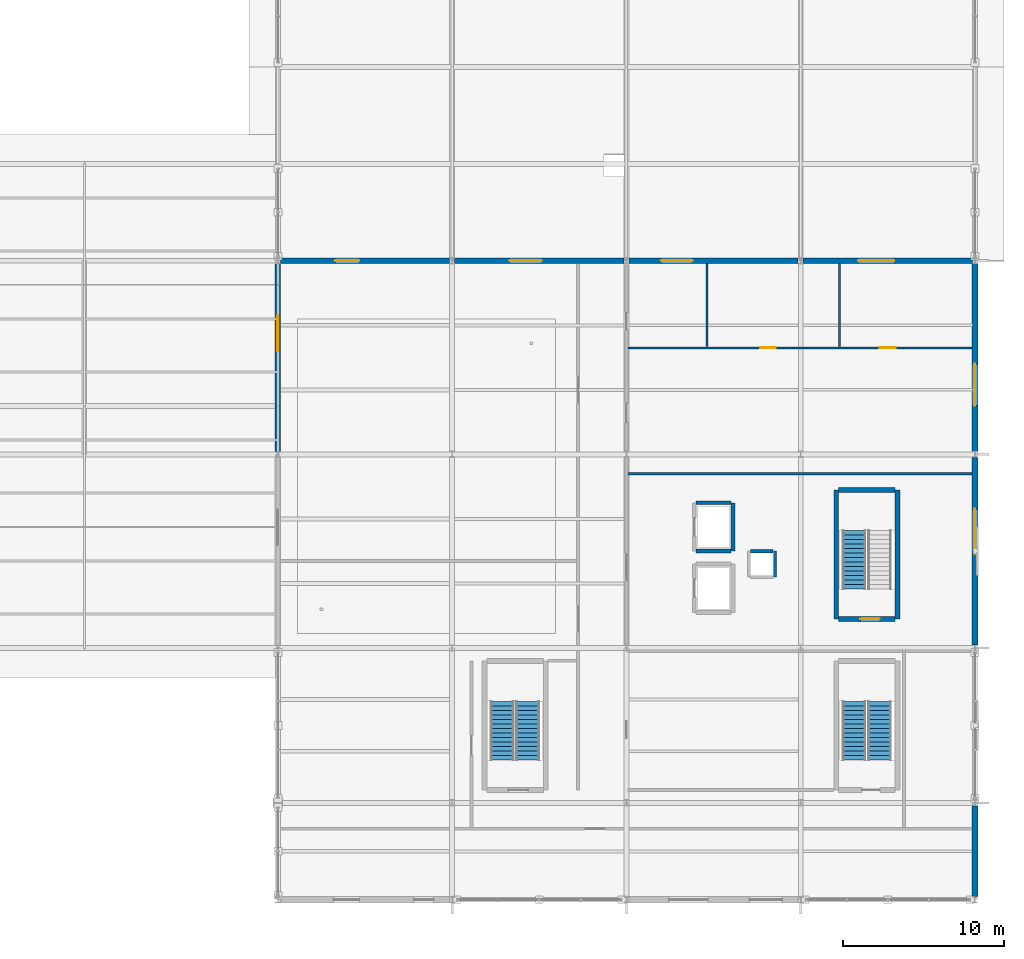
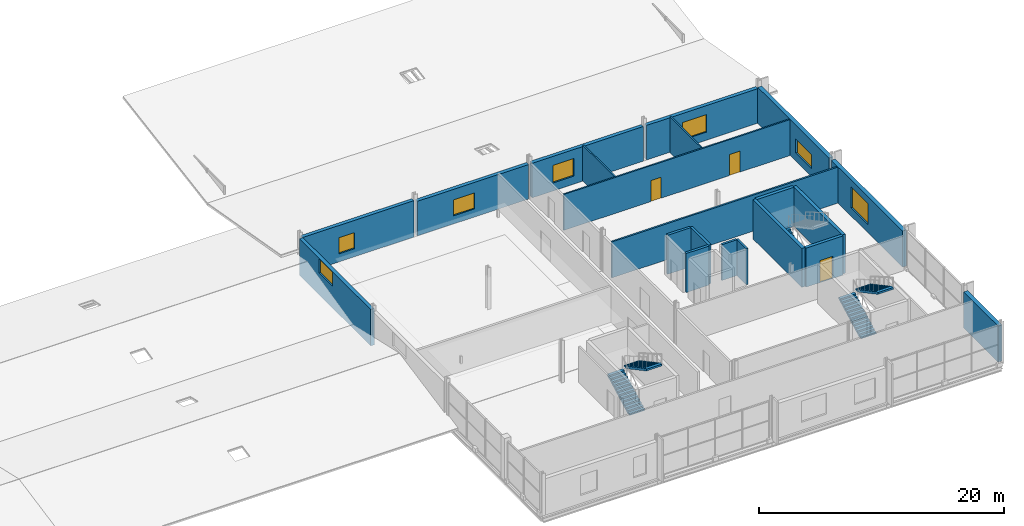
# One storey, part 108 of 117: 21 walls, 7 windows, 5 stair flights, 3 doors, 10 openings, 3 elements without a shape of their own.
"""IFC4 building model written with IfcOpenShell, lengths in metres."""

from ifc_helpers import new_model, si_unit, direction, frame, frame_2d, origin, place, context, subcontext, project, spatial, polyline, rectangle, outline, extrude, material, layer, layer_set, type_object, element, fill, aggregate, save


model = new_model("IFC4")

# Units and contexts
model_context = context("Model", 3, precision=1e-05, world=origin(), true_north=direction((0.0, 1.0)))
body_context = subcontext(model_context, "Body", "Model", "MODEL_VIEW")
ifc_project = project(units=[si_unit("LENGTHUNIT", "METRE"), si_unit("AREAUNIT", "SQUARE_METRE"), si_unit("VOLUMEUNIT", "CUBIC_METRE"), si_unit("PLANEANGLEUNIT", "RADIAN"), si_unit("MASSUNIT", "GRAM", prefix="KILO")], contexts=[model_context])

# Site, building, storey
site_placement = place(None, origin())
site = spatial("IfcSite", under=ifc_project, at=site_placement, CompositionType="ELEMENT")
building_placement = place(site_placement, origin())
building = spatial("IfcBuilding", under=site, at=building_placement, Name="Merenkruunu Market Hall", CompositionType="ELEMENT")
storey_placement = place(building_placement, frame((0.0, 0.0, 10.199951171875)))
storey = spatial("IfcBuildingStorey", under=building, at=storey_placement, Name="L02", CompositionType="ELEMENT", Elevation=10.199951171875)

# Wall
ifc_material_1 = material(Name="Precast concrete C40/50", Category="concrete")
ifc_layer_1 = layer(ifc_material_1, 0.3798828125)
ifc_layer_set_1 = layer_set([ifc_layer_1], Name="Precast concrete C40/50")
wall_type_1 = type_object("IfcWallType", Name="Exterior Envelope Wall EW02", PredefinedType="STANDARD", material=ifc_layer_set_1)
wall_1_placement = place(storey_placement, frame((192.0, 5.81591796875, 0.0), z_axis=(0.0, 0.0, 1.0), x_axis=(0.0, -1.0, 0.0)))
element("IfcWall", 1, at=wall_1_placement, inside=storey, type_object=wall_type_1, Name="WALL-EXT-L02-0086", PredefinedType="STANDARD", context=body_context, shape_type="SweptSolid", body=[
    extrude(rectangle(XDim=5.6318359375, YDim=0.3798828125, at=frame_2d((2.81591796875, 0.0))), origin(), (0.0, 0.0, 1.0), 3.594970703125),
])

# Wall, opening, window
wall_2_placement = place(storey_placement, frame((192.0, 27.416015625, 0.0), z_axis=(0.0, 0.0, 1.0), x_axis=(0.0, -1.0, 0.0)))
wall_2 = element("IfcWall", 2, at=wall_2_placement, inside=storey, type_object=wall_type_1, Name="WALL-EXT-L02-0087", PredefinedType="STANDARD", context=body_context, shape_type="SweptSolid", body=[
    extrude(rectangle(XDim=11.632080078125, YDim=0.3798828125, at=frame_2d((5.81591796875, 0.0))), origin(), (0.0, 0.0, 1.0), 3.594970703125),
])
opening_1_placement = place(wall_2_placement, frame((3.199951171875, 0.0, 0.800048828125)))
opening_1 = element("IfcOpeningElement", 3, at=opening_1_placement, cuts=wall_2, Name="Opening WN12", PredefinedType="OPENING", context=body_context, shape_type="SweptSolid", body=[
    extrude(rectangle(XDim=2.800048828125, YDim=2.10009765625, at=frame_2d((1.39990234375, 1.050048828125))), frame((0.0, 0.199951171875, 0.0), z_axis=(0.0, -1.0, 0.0), x_axis=(1.0, 0.0, 0.0)), (0.0, 0.0, 1.0), 0.39990234375),
])
ifc_material_2 = material(Name="Triple low-E insulated glass", Category="glass")
ifc_layer_2 = layer(ifc_material_2, 0.06005859375)
ifc_layer_set_2 = layer_set([ifc_layer_2], Name="Triple low-E insulated glass")
window_type_1 = type_object("IfcWindowType", Name="Exterior Window WN12", PartitioningType="SINGLE_PANEL", PredefinedType="WINDOW", material=ifc_layer_set_2)
window_1_placement = place(opening_1_placement, origin())
window_1 = element("IfcWindow", 4, at=window_1_placement, inside=storey, type_object=window_type_1, Name="WIN-L02-0042", OverallHeight=2.10009765625, OverallWidth=2.800048828125, PartitioningType="SINGLE_PANEL", PredefinedType="WINDOW", context=body_context, shape_type="SweptSolid", body=[
    extrude(rectangle(XDim=2.800048828125, YDim=2.10009765625, at=frame_2d((1.39990234375, 1.050048828125))), frame((0.0, 0.030029296875, 0.0), z_axis=(0.0, -1.0, 0.0), x_axis=(1.0, 0.0, 0.0)), (0.0, 0.0, 1.0), 0.06005859375),
])
fill(opening_1, window_1)

wall_3_placement = place(storey_placement, frame((192.0, 39.416015625, 0.0), z_axis=(0.0, 0.0, 1.0), x_axis=(0.0, -1.0, 0.0)))
wall_3 = element("IfcWall", 5, at=wall_3_placement, inside=storey, type_object=wall_type_1, Name="WALL-EXT-L02-0088", PredefinedType="STANDARD", context=body_context, shape_type="SweptSolid", body=[
    extrude(rectangle(XDim=11.632080078125, YDim=0.3798828125, at=frame_2d((5.81591796875, 0.0))), origin(), (0.0, 0.0, 1.0), 3.594970703125),
])
opening_2_placement = place(wall_3_placement, frame((6.199951171875, 0.0, 0.800048828125)))
opening_2 = element("IfcOpeningElement", 6, at=opening_2_placement, cuts=wall_3, Name="Opening WN16", PredefinedType="OPENING", context=body_context, shape_type="SweptSolid", body=[
    extrude(rectangle(XDim=2.60009765625, YDim=1.39990234375, at=frame_2d((1.300048828125, 0.699951171875))), frame((0.0, 0.199951171875, 0.0), z_axis=(0.0, -1.0, 0.0), x_axis=(1.0, 0.0, 0.0)), (0.0, 0.0, 1.0), 0.39990234375),
])
ifc_layer_3 = layer(ifc_material_2, 0.06005859375)
ifc_layer_set_3 = layer_set([ifc_layer_3], Name="Triple low-E insulated glass")
window_type_2 = type_object("IfcWindowType", Name="Exterior Window WN16", PartitioningType="SINGLE_PANEL", PredefinedType="WINDOW", material=ifc_layer_set_3)
window_2_placement = place(opening_2_placement, origin())
window_2 = element("IfcWindow", 7, at=window_2_placement, inside=storey, type_object=window_type_2, Name="WIN-L02-0043", OverallHeight=1.39990234375, OverallWidth=2.60009765625, PartitioningType="SINGLE_PANEL", PredefinedType="WINDOW", context=body_context, shape_type="SweptSolid", body=[
    extrude(rectangle(XDim=2.60009765625, YDim=1.39990234375, at=frame_2d((1.300048828125, 0.699951171875))), frame((0.0, 0.030029296875, 0.0), z_axis=(0.0, -1.0, 0.0), x_axis=(1.0, 0.0, 0.0)), (0.0, 0.0, 1.0), 0.06005859375),
])
fill(opening_2, window_2)

ifc_layer_4 = layer(ifc_material_1, 0.340087890625)
ifc_layer_set_4 = layer_set([ifc_layer_4], Name="Precast concrete C40/50")
wall_type_2 = type_object("IfcWallType", Name="Exterior Envelope Wall EW03", PredefinedType="STANDARD", material=ifc_layer_set_4)
wall_4_placement = place(storey_placement, frame((148.9541015625, 39.60009765625, 0.0), z_axis=(0.0, 0.0, 1.0), x_axis=(1.0, 0.0, 0.0)))
wall_4 = element("IfcWall", 8, at=wall_4_placement, inside=storey, type_object=wall_type_2, Name="WALL-EXT-L02-0089", PredefinedType="STANDARD", context=body_context, shape_type="SweptSolid", body=[
    extrude(rectangle(XDim=10.491943359375, YDim=0.340087890625, at=frame_2d((5.24609375, 0.0))), origin(), (0.0, 0.0, 1.0), 3.625),
])
opening_3_placement = place(wall_4_placement, frame((3.39990234375, 0.0, 0.800048828125)))
opening_3 = element("IfcOpeningElement", 9, at=opening_3_placement, cuts=wall_4, Name="Opening WN19", PredefinedType="OPENING", context=body_context, shape_type="SweptSolid", body=[
    extrude(rectangle(XDim=1.5, YDim=1.60009765625, at=frame_2d((0.75, 0.800048828125))), frame((0.0, 0.18017578125, 0.0), z_axis=(0.0, -1.0, 0.0), x_axis=(1.0, 0.0, 0.0)), (0.0, 0.0, 1.0), 0.360107421875),
])
ifc_layer_5 = layer(ifc_material_2, 0.06005859375)
ifc_layer_set_5 = layer_set([ifc_layer_5], Name="Triple low-E insulated glass")
window_type_3 = type_object("IfcWindowType", Name="Exterior Window WN19", PartitioningType="SINGLE_PANEL", PredefinedType="WINDOW", material=ifc_layer_set_5)
window_3_placement = place(opening_3_placement, origin())
window_3 = element("IfcWindow", 10, at=window_3_placement, inside=storey, type_object=window_type_3, Name="WIN-L02-0044", OverallHeight=1.60009765625, OverallWidth=1.5, PartitioningType="SINGLE_PANEL", PredefinedType="WINDOW", context=body_context, shape_type="SweptSolid", body=[
    extrude(rectangle(XDim=1.5, YDim=1.60009765625, at=frame_2d((0.75, 0.800048828125))), frame((0.0, 0.030029296875, 0.0), z_axis=(0.0, -1.0, 0.0), x_axis=(1.0, 0.0, 0.0)), (0.0, 0.0, 1.0), 0.06005859375),
])
fill(opening_3, window_3)

wall_5_placement = place(storey_placement, frame((159.75390625, 39.60009765625, 0.0), z_axis=(0.0, 0.0, 1.0), x_axis=(1.0, 0.0, 0.0)))
wall_5 = element("IfcWall", 11, at=wall_5_placement, inside=storey, type_object=wall_type_2, Name="WALL-EXT-L02-0090", PredefinedType="STANDARD", context=body_context, shape_type="SweptSolid", body=[
    extrude(rectangle(XDim=10.4921875, YDim=0.340087890625, at=frame_2d((5.24609375, 0.0))), origin(), (0.0, 0.0, 1.0), 3.445068359375),
])
opening_4_placement = place(wall_5_placement, frame((3.39990234375, 0.0, 0.800048828125)))
opening_4 = element("IfcOpeningElement", 12, at=opening_4_placement, cuts=wall_5, Name="Opening WN20", PredefinedType="OPENING", context=body_context, shape_type="SweptSolid", body=[
    extrude(rectangle(XDim=2.0, YDim=1.60009765625, at=frame_2d((1.0, 0.800048828125))), frame((0.0, 0.18017578125, 0.0), z_axis=(0.0, -1.0, 0.0), x_axis=(1.0, 0.0, 0.0)), (0.0, 0.0, 1.0), 0.360107421875),
])
ifc_layer_6 = layer(ifc_material_2, 0.06005859375)
ifc_layer_set_6 = layer_set([ifc_layer_6], Name="Triple low-E insulated glass")
window_type_4 = type_object("IfcWindowType", Name="Exterior Window WN20", PartitioningType="SINGLE_PANEL", PredefinedType="WINDOW", material=ifc_layer_set_6)
window_4_placement = place(opening_4_placement, origin())
window_4 = element("IfcWindow", 13, at=window_4_placement, inside=storey, type_object=window_type_4, Name="WIN-L02-0045", OverallHeight=1.60009765625, OverallWidth=2.0, PartitioningType="SINGLE_PANEL", PredefinedType="WINDOW", context=body_context, shape_type="SweptSolid", body=[
    extrude(rectangle(XDim=2.0, YDim=1.60009765625, at=frame_2d((1.0, 0.800048828125))), frame((0.0, 0.030029296875, 0.0), z_axis=(0.0, -1.0, 0.0), x_axis=(1.0, 0.0, 0.0)), (0.0, 0.0, 1.0), 0.06005859375),
])
fill(opening_4, window_4)

wall_6_placement = place(storey_placement, frame((170.553955078125, 39.60009765625, 0.0), z_axis=(0.0, 0.0, 1.0), x_axis=(1.0, 0.0, 0.0)))
wall_6 = element("IfcWall", 14, at=wall_6_placement, inside=storey, type_object=wall_type_2, Name="WALL-EXT-L02-0091", PredefinedType="STANDARD", context=body_context, shape_type="SweptSolid", body=[
    extrude(rectangle(XDim=10.491943359375, YDim=0.340087890625, at=frame_2d((5.24609375, 0.0))), origin(), (0.0, 0.0, 1.0), 3.445068359375),
])
opening_5_placement = place(wall_6_placement, frame((2.0, 0.0, 0.800048828125)))
opening_5 = element("IfcOpeningElement", 15, at=opening_5_placement, cuts=wall_6, Name="Opening WN25", PredefinedType="OPENING", context=body_context, shape_type="SweptSolid", body=[
    extrude(rectangle(XDim=1.949951171875, YDim=1.75, at=frame_2d((0.97509765625, 0.875))), frame((0.0, 0.18017578125, 0.0), z_axis=(0.0, -1.0, 0.0), x_axis=(1.0, 0.0, 0.0)), (0.0, 0.0, 1.0), 0.360107421875),
])
ifc_layer_7 = layer(ifc_material_2, 0.06005859375)
ifc_layer_set_7 = layer_set([ifc_layer_7], Name="Triple low-E insulated glass")
window_type_5 = type_object("IfcWindowType", Name="Exterior Window WN25", PartitioningType="SINGLE_PANEL", PredefinedType="WINDOW", material=ifc_layer_set_7)
window_5_placement = place(opening_5_placement, origin())
window_5 = element("IfcWindow", 16, at=window_5_placement, inside=storey, type_object=window_type_5, Name="WIN-L02-0046", OverallHeight=1.75, OverallWidth=1.949951171875, PartitioningType="SINGLE_PANEL", PredefinedType="WINDOW", context=body_context, shape_type="SweptSolid", body=[
    extrude(rectangle(XDim=1.949951171875, YDim=1.75, at=frame_2d((0.97509765625, 0.875))), frame((0.0, 0.030029296875, 0.0), z_axis=(0.0, -1.0, 0.0), x_axis=(1.0, 0.0, 0.0)), (0.0, 0.0, 1.0), 0.06005859375),
])
fill(opening_5, window_5)

wall_7_placement = place(storey_placement, frame((181.35400390625, 39.60009765625, 0.0), z_axis=(0.0, 0.0, 1.0), x_axis=(1.0, 0.0, 0.0)))
wall_7 = element("IfcWall", 17, at=wall_7_placement, inside=storey, type_object=wall_type_2, Name="WALL-EXT-L02-0092", PredefinedType="STANDARD", context=body_context, shape_type="SweptSolid", body=[
    extrude(rectangle(XDim=10.491943359375, YDim=0.340087890625, at=frame_2d((5.24609375, 0.0))), origin(), (0.0, 0.0, 1.0), 3.445068359375),
])
opening_6_placement = place(wall_7_placement, frame((3.39990234375, 0.0, 0.800048828125)))
opening_6 = element("IfcOpeningElement", 18, at=opening_6_placement, cuts=wall_7, Name="Opening WN26", PredefinedType="OPENING", context=body_context, shape_type="SweptSolid", body=[
    extrude(rectangle(XDim=2.25, YDim=1.75, at=frame_2d((1.125, 0.875))), frame((0.0, 0.18017578125, 0.0), z_axis=(0.0, -1.0, 0.0), x_axis=(1.0, 0.0, 0.0)), (0.0, 0.0, 1.0), 0.360107421875),
])
ifc_layer_8 = layer(ifc_material_2, 0.06005859375)
ifc_layer_set_8 = layer_set([ifc_layer_8], Name="Triple low-E insulated glass")
window_type_6 = type_object("IfcWindowType", Name="Exterior Window WN26", PartitioningType="SINGLE_PANEL", PredefinedType="WINDOW", material=ifc_layer_set_8)
window_6_placement = place(opening_6_placement, origin())
window_6 = element("IfcWindow", 19, at=window_6_placement, inside=storey, type_object=window_type_6, Name="WIN-L02-0047", OverallHeight=1.75, OverallWidth=2.25, PartitioningType="SINGLE_PANEL", PredefinedType="WINDOW", context=body_context, shape_type="SweptSolid", body=[
    extrude(rectangle(XDim=2.25, YDim=1.75, at=frame_2d((1.125, 0.875))), frame((0.0, 0.030029296875, 0.0), z_axis=(0.0, -1.0, 0.0), x_axis=(1.0, 0.0, 0.0)), (0.0, 0.0, 1.0), 0.06005859375),
])
fill(opening_6, window_6)

wall_8_placement = place(storey_placement, frame((148.800048828125, 27.779052734375, 0.0), z_axis=(0.0, 0.0, 1.0), x_axis=(0.0, 1.0, 0.0)))
wall_8 = element("IfcWall", 20, at=wall_8_placement, inside=storey, type_object=wall_type_2, Name="WALL-EXT-L02-0094", PredefinedType="STANDARD", context=body_context, shape_type="SweptSolid", body=[
    extrude(rectangle(XDim=11.641845703125, YDim=0.340087890625, at=frame_2d((5.82080078125, 0.0))), origin(), (0.0, 0.0, 1.0), 3.625),
])
opening_7_placement = place(wall_8_placement, frame((6.199951171875, 0.0, 2.179931640625)))
opening_7 = element("IfcOpeningElement", 21, at=opening_7_placement, cuts=wall_8, Name="Opening WN15", PredefinedType="OPENING", context=body_context, shape_type="SweptSolid", body=[
    extrude(rectangle(XDim=2.199951171875, YDim=1.39990234375, at=frame_2d((1.10009765625, 0.699951171875))), frame((0.0, 0.18017578125, 0.0), z_axis=(0.0, -1.0, 0.0), x_axis=(1.0, 0.0, 0.0)), (0.0, 0.0, 1.0), 0.360107421875),
])
ifc_layer_9 = layer(ifc_material_2, 0.06005859375)
ifc_layer_set_9 = layer_set([ifc_layer_9], Name="Triple low-E insulated glass")
window_type_7 = type_object("IfcWindowType", Name="Exterior Window WN15", PartitioningType="SINGLE_PANEL", PredefinedType="WINDOW", material=ifc_layer_set_9)
window_7_placement = place(opening_7_placement, origin())
window_7 = element("IfcWindow", 22, at=window_7_placement, inside=storey, type_object=window_type_7, Name="WIN-L02-0049", OverallHeight=1.39990234375, OverallWidth=2.199951171875, PartitioningType="SINGLE_PANEL", PredefinedType="WINDOW", context=body_context, shape_type="SweptSolid", body=[
    extrude(rectangle(XDim=2.199951171875, YDim=1.39990234375, at=frame_2d((1.10009765625, 0.699951171875))), frame((0.0, 0.030029296875, 0.0), z_axis=(0.0, -1.0, 0.0), x_axis=(1.0, 0.0, 0.0)), (0.0, 0.0, 1.0), 0.06005859375),
])
fill(opening_7, window_7)

# Walls
ifc_material_3 = material(Name="Gypsum fire compartment board")
ifc_layer_10 = layer(ifc_material_3, 0.199951171875)
ifc_layer_set_10 = layer_set([ifc_layer_10], Name="Gypsum fire compartment board")
wall_type_3 = type_object("IfcWallType", Name="Interior Partition Wall FW02", PredefinedType="PARTITIONING", material=ifc_layer_set_10)
wall_9_placement = place(storey_placement, frame((179.60009765625, 20.0, 0.0), z_axis=(0.0, 0.0, 1.0), x_axis=(0.0, 1.0, 0.0)))
element("IfcWall", 23, at=wall_9_placement, inside=storey, type_object=wall_type_3, Name="WALL-INT-L02-0136", PredefinedType="PARTITIONING", context=body_context, shape_type="SweptSolid", body=[
    extrude(rectangle(XDim=1.60009765625, YDim=0.199951171875, at=frame_2d((0.800048828125, 0.0))), origin(), (0.0, 0.0, 1.0), 3.580078125),
])
wall_10_placement = place(storey_placement, frame((179.498046875, 21.60009765625, 0.0), z_axis=(0.0, 0.0, 1.0), x_axis=(-1.0, 0.0, 0.0)))
element("IfcWall", 24, at=wall_10_placement, inside=storey, type_object=wall_type_3, Name="WALL-INT-L02-0137", PredefinedType="PARTITIONING", context=body_context, shape_type="SweptSolid", body=[
    extrude(rectangle(XDim=1.39599609375, YDim=0.199951171875, at=frame_2d((0.697998046875, 0.0))), origin(), (0.0, 0.0, 1.0), 3.580078125),
])
ifc_material_4 = material(Name="Gypsum acoustic partition board")
ifc_layer_11 = layer(ifc_material_4, 0.159912109375)
ifc_layer_set_11 = layer_set([ifc_layer_11], Name="Gypsum acoustic partition board")
wall_type_4 = type_object("IfcWallType", Name="Interior Partition Wall PW01", PredefinedType="PARTITIONING", material=ifc_layer_set_11)
wall_11_placement = place(storey_placement, frame((170.501953125, 26.39990234375, 0.0), z_axis=(0.0, 0.0, 1.0), x_axis=(1.0, 0.0, 0.0)))
element("IfcWall", 25, at=wall_11_placement, inside=storey, type_object=wall_type_4, Name="WALL-INT-L02-0082", PredefinedType="PARTITIONING", context=body_context, shape_type="SweptSolid", body=[
    extrude(rectangle(XDim=21.30615234375, YDim=0.159912109375, at=frame_2d((10.653076171875, 0.0))), origin(), (0.0, 0.0, 1.0), 3.580078125),
])

# Wall, openings, doors
ifc_material_5 = material(Name="Ceramic hygienic wet-room board")
ifc_layer_12 = layer(ifc_material_5, 0.139892578125)
ifc_layer_set_12 = layer_set([ifc_layer_12], Name="Ceramic hygienic wet-room board")
wall_type_5 = type_object("IfcWallType", Name="Interior Partition Wall PW02", PredefinedType="PARTITIONING", material=ifc_layer_set_12)
wall_12_placement = place(storey_placement, frame((170.501953125, 34.199951171875, 0.0), z_axis=(0.0, 0.0, 1.0), x_axis=(1.0, 0.0, 0.0)))
wall_12 = element("IfcWall", 26, at=wall_12_placement, inside=storey, type_object=wall_type_5, Name="WALL-INT-L02-0083", PredefinedType="PARTITIONING", context=body_context, shape_type="SweptSolid", body=[
    extrude(rectangle(XDim=21.30615234375, YDim=0.139892578125, at=frame_2d((10.653076171875, 0.0))), origin(), (0.0, 0.0, 1.0), 3.580078125),
])
opening_8_placement = place(wall_12_placement, frame((8.199951171875, 0.0, 0.0)))
opening_8 = element("IfcOpeningElement", 27, at=opening_8_placement, cuts=wall_12, Name="Opening D01", PredefinedType="OPENING", context=body_context, shape_type="SweptSolid", body=[
    extrude(rectangle(XDim=0.949951171875, YDim=2.10009765625, at=frame_2d((0.47509765625, 1.050048828125))), frame((0.0, 0.080078125, 0.0), z_axis=(0.0, -1.0, 0.0), x_axis=(1.0, 0.0, 0.0)), (0.0, 0.0, 1.0), 0.159912109375),
])
opening_9_placement = place(wall_12_placement, frame((15.60009765625, 0.0, 0.0)))
opening_9 = element("IfcOpeningElement", 28, at=opening_9_placement, cuts=wall_12, Name="Opening D02", PredefinedType="OPENING", context=body_context, shape_type="SweptSolid", body=[
    extrude(rectangle(XDim=1.0, YDim=2.10009765625, at=frame_2d((0.5, 1.050048828125))), frame((0.0, 0.080078125, 0.0), z_axis=(0.0, -1.0, 0.0), x_axis=(1.0, 0.0, 0.0)), (0.0, 0.0, 1.0), 0.159912109375),
])
ifc_material_6 = material(Name="Lacquered Nordic birch")
door_type_1 = type_object("IfcDoorType", Name="Pedestrian Room Door D01", OperationType="NOTDEFINED", PredefinedType="DOOR", material=ifc_material_6)
door_1_placement = place(opening_8_placement, origin())
door_1 = element("IfcDoor", 29, at=door_1_placement, inside=storey, type_object=door_type_1, Name="DR-L02-079", OperationType="SINGLE_SWING_LEFT", OverallHeight=2.10009765625, OverallWidth=0.949951171875, PredefinedType="DOOR", context=body_context, shape_type="SweptSolid", body=[
    extrude(rectangle(XDim=0.949951171875, YDim=2.10009765625, at=frame_2d((0.47509765625, 1.050048828125))), frame((0.0, 0.02490234375, 0.0), z_axis=(0.0, -1.0, 0.0), x_axis=(1.0, 0.0, 0.0)), (0.0, 0.0, 1.0), 0.050048828125),
])
fill(opening_8, door_1)
door_type_2 = type_object("IfcDoorType", Name="Pedestrian Room Door D02", OperationType="NOTDEFINED", PredefinedType="DOOR", material=ifc_material_6)
door_2_placement = place(opening_9_placement, origin())
door_2 = element("IfcDoor", 30, at=door_2_placement, inside=storey, type_object=door_type_2, Name="DR-L02-080", OperationType="SINGLE_SWING_RIGHT", OverallHeight=2.10009765625, OverallWidth=1.0, PredefinedType="DOOR", context=body_context, shape_type="SweptSolid", body=[
    extrude(rectangle(XDim=1.0, YDim=2.10009765625, at=frame_2d((0.5, 1.050048828125))), frame((0.0, 0.02490234375, 0.0), z_axis=(0.0, -1.0, 0.0), x_axis=(1.0, 0.0, 0.0)), (0.0, 0.0, 1.0), 0.050048828125),
])
fill(opening_9, door_2)

# Walls
for number, where, z_axis, x_axis, name in (
    (31, (175.39990234375, 34.27197265625, 0.0), (0.0, 0.0, 1.0), (0.0, 1.0, 0.0), "WALL-INT-L02-0084"),
    (32, (183.60009765625, 34.27197265625, 0.0), (0.0, 0.0, 1.0), (0.0, 1.0, 0.0), "WALL-INT-L02-0085"),
):
    element("IfcWall", number, at=place(storey_placement, frame(where, z_axis=z_axis, x_axis=x_axis)), inside=storey, type_object=wall_type_5, Name=name, PredefinedType="PARTITIONING", context=body_context, shape_type="SweptSolid", body=[
        extrude(rectangle(XDim=5.156005859375, YDim=0.139892578125, at=frame_2d((2.578125, 0.0))), origin(), (0.0, 0.0, 1.0), 3.580078125),
    ])

# Wall, opening, door
ifc_material_7 = material(Name="Concrete C35/45", Category="concrete")
ifc_layer_13 = layer(ifc_material_7, 0.300048828125)
ifc_layer_set_13 = layer_set([ifc_layer_13], Name="Concrete C35/45")
wall_type_6 = type_object("IfcWallType", Name="Structural Shear Wall SW02", PredefinedType="SHEAR", material=ifc_layer_set_13)
wall_13_placement = place(storey_placement, frame((187.050048828125, 17.39990234375, 0.0), z_axis=(0.0, 0.0, 1.0), x_axis=(-1.0, 0.0, 0.0)))
wall_13 = element("IfcWall", 33, at=wall_13_placement, inside=storey, type_object=wall_type_6, Name="WALL-CORE-K6-L02-S", PredefinedType="SHEAR", context=body_context, shape_type="SweptSolid", body=[
    extrude(rectangle(XDim=3.5, YDim=0.300048828125, at=frame_2d((1.75, 0.0))), origin(), (0.0, 0.0, 1.0), 3.89013671875),
])
opening_10_placement = place(wall_13_placement, frame((0.949951171875, 0.0, 0.0)))
opening_10 = element("IfcOpeningElement", 34, at=opening_10_placement, cuts=wall_13, Name="Opening FD03", PredefinedType="OPENING", context=body_context, shape_type="SweptSolid", body=[
    extrude(rectangle(XDim=1.199951171875, YDim=2.199951171875, at=frame_2d((0.60009765625, 1.10009765625))), frame((0.0, 0.16015625, 0.0), z_axis=(0.0, -1.0, 0.0), x_axis=(1.0, 0.0, 0.0)), (0.0, 0.0, 1.0), 0.320068359375),
])
ifc_material_8 = material(Name="Powder-coated aluminium", Category="aluminium")
door_type_3 = type_object("IfcDoorType", Name="Fire Compartment Door FD03", OperationType="NOTDEFINED", PredefinedType="DOOR", material=ifc_material_8)
door_3_placement = place(opening_10_placement, origin())
door_3 = element("IfcDoor", 35, at=door_3_placement, inside=storey, type_object=door_type_3, Name="DR-L02-118", OperationType="SINGLE_SWING_RIGHT", OverallHeight=2.199951171875, OverallWidth=1.199951171875, PredefinedType="DOOR", context=body_context, shape_type="SweptSolid", body=[
    extrude(rectangle(XDim=1.199951171875, YDim=2.199951171875, at=frame_2d((0.60009765625, 1.10009765625))), frame((0.0, 0.02490234375, 0.0), z_axis=(0.0, -1.0, 0.0), x_axis=(1.0, 0.0, 0.0)), (0.0, 0.0, 1.0), 0.050048828125),
])
fill(opening_10, door_3)

# Walls
wall_14_placement = place(storey_placement, frame((187.199951171875, 17.39990234375, 0.0), z_axis=(0.0, 0.0, 1.0), x_axis=(0.0, 1.0, 0.0)))
element("IfcWall", 36, at=wall_14_placement, inside=storey, type_object=wall_type_6, Name="WALL-CORE-K6-L02-E", PredefinedType="SHEAR", context=body_context, shape_type="SweptSolid", body=[
    extrude(rectangle(XDim=8.0, YDim=0.300048828125, at=frame_2d((4.0, 0.0))), origin(), (0.0, 0.0, 1.0), 3.89013671875),
])
wall_15_placement = place(storey_placement, frame((187.050048828125, 25.39990234375, 0.0), z_axis=(0.0, 0.0, 1.0), x_axis=(-1.0, 0.0, 0.0)))
element("IfcWall", 37, at=wall_15_placement, inside=storey, type_object=wall_type_6, Name="WALL-CORE-K6-L02-N", PredefinedType="SHEAR", context=body_context, shape_type="SweptSolid", body=[
    extrude(rectangle(XDim=3.5, YDim=0.300048828125, at=frame_2d((1.75, 0.0))), origin(), (0.0, 0.0, 1.0), 3.89013671875),
])
wall_16_placement = place(storey_placement, frame((183.39990234375, 25.39990234375, 0.0), z_axis=(0.0, 0.0, 1.0), x_axis=(0.0, -1.0, 0.0)))
element("IfcWall", 38, at=wall_16_placement, inside=storey, type_object=wall_type_6, Name="WALL-CORE-K6-L02-W", PredefinedType="SHEAR", context=body_context, shape_type="SweptSolid", body=[
    extrude(rectangle(XDim=8.0, YDim=0.300048828125, at=frame_2d((4.0, 0.0))), origin(), (0.0, 0.0, 1.0), 3.89013671875),
])
ifc_layer_14 = layer(ifc_material_7, 0.239990234375)
ifc_layer_set_14 = layer_set([ifc_layer_14], Name="Concrete C35/45")
wall_type_7 = type_object("IfcWallType", Name="Structural Shear Wall SW04", PredefinedType="SHEAR", material=ifc_layer_set_14)
wall_17_placement = place(storey_placement, frame((174.719970703125, 21.60009765625, 0.0), z_axis=(0.0, 0.0, 1.0), x_axis=(1.0, 0.0, 0.0)))
element("IfcWall", 39, at=wall_17_placement, inside=storey, type_object=wall_type_7, Name="WALL-LIFT-LP5-L02-S", PredefinedType="SHEAR", context=body_context, shape_type="SweptSolid", body=[
    extrude(rectangle(XDim=2.159912109375, YDim=0.239990234375, at=frame_2d((1.080078125, 0.0))), origin(), (0.0, 0.0, 1.0), 3.89013671875),
])
wall_18_placement = place(storey_placement, frame((177.0, 21.60009765625, 0.0), z_axis=(0.0, 0.0, 1.0), x_axis=(0.0, 1.0, 0.0)))
element("IfcWall", 40, at=wall_18_placement, inside=storey, type_object=wall_type_7, Name="WALL-LIFT-LP5-L02-E", PredefinedType="SHEAR", context=body_context, shape_type="SweptSolid", body=[
    extrude(rectangle(XDim=3.0, YDim=0.239990234375, at=frame_2d((1.5, 0.0))), origin(), (0.0, 0.0, 1.0), 3.89013671875),
])
wall_19_placement = place(storey_placement, frame((176.8798828125, 24.60009765625, 0.0), z_axis=(0.0, 0.0, 1.0), x_axis=(-1.0, 0.0, 0.0)))
element("IfcWall", 41, at=wall_19_placement, inside=storey, type_object=wall_type_7, Name="WALL-LIFT-LP5-L02-N", PredefinedType="SHEAR", context=body_context, shape_type="SweptSolid", body=[
    extrude(rectangle(XDim=2.159912109375, YDim=0.239990234375, at=frame_2d((1.080078125, 0.0))), origin(), (0.0, 0.0, 1.0), 3.89013671875),
])

# Stair, stair flights
stair_type = type_object("IfcStairType", Name="Two Flight Half Turn Stair ST04", PredefinedType="TWO_STRAIGHT_RUN_STAIR", material=ifc_material_7)
stair_1_placement = place(storey_placement, origin())
stair_1 = element("IfcStair", 42, at=stair_1_placement, inside=storey, type_object=stair_type, Name="Protected Stair ST11 (K5 L02-L03)", PredefinedType="TWO_STRAIGHT_RUN_STAIR")
stair_flight_type = type_object("IfcStairFlightType", Name="Straight Stair Flight SFL03", PredefinedType="STRAIGHT", material=ifc_material_7)
stair_flight_1_placement = place(storey_placement, frame((184.5048828125, 8.64990234375, 0.0), z_axis=(0.0, 0.0, 1.0), x_axis=(0.0, 1.0, 0.0)))
stair_flight_1 = element("IfcStairFlight", 43, at=stair_flight_1_placement, type_object=stair_flight_type, Name="ST11 flight 1", NumberOfRisers=14, NumberOfTreads=13, PredefinedType="STRAIGHT", RiserHeight=0.15, TreadLength=0.28, context=body_context, shape_type="SweptSolid", body=[
    extrude(outline(polyline([(0.0, 0.0), (0.0, 0.14990234375), (0.280029296875, 0.14990234375), (0.280029296875, 0.300048828125), (0.56005859375, 0.300048828125), (0.56005859375, 0.449951171875), (0.840087890625, 0.449951171875), (0.840087890625, 0.60009765625), (1.1201171875, 0.60009765625), (1.1201171875, 0.75), (1.39990234375, 0.75), (1.39990234375, 0.89990234375), (1.679931640625, 0.89990234375), (1.679931640625, 1.050048828125), (1.9599609375, 1.050048828125), (1.9599609375, 1.199951171875), (2.239990234375, 1.199951171875), (2.239990234375, 1.35009765625), (2.52001953125, 1.35009765625), (2.52001953125, 1.5), (2.800048828125, 1.5), (2.800048828125, 1.64990234375), (3.080078125, 1.64990234375), (3.080078125, 1.800048828125), (3.360107421875, 1.800048828125), (3.360107421875, 1.949951171875), (3.639892578125, 1.949951171875), (3.639892578125, 2.10009765625), (3.639892578125, 1.7685546875), (0.338623046875, 0.0), (0.0, 0.0)])), frame((0.0, 0.72509765625, 0.0), z_axis=(0.0, -1.0, 0.0), x_axis=(1.0, 0.0, 0.0)), (0.0, 0.0, 1.0), 1.449951171875),
])
stair_flight_2_placement = place(storey_placement, frame((186.094970703125, 12.2900390625, 2.10009765625), z_axis=(0.0, 0.0, 1.0), x_axis=(0.0, -1.0, 0.0)))
stair_flight_2 = element("IfcStairFlight", 44, at=stair_flight_2_placement, type_object=stair_flight_type, Name="ST11 flight 2", NumberOfRisers=14, NumberOfTreads=13, PredefinedType="STRAIGHT", RiserHeight=0.15, TreadLength=0.28, context=body_context, shape_type="SweptSolid", body=[
    extrude(outline(polyline([(0.0, 0.0), (0.0, 0.14990234375), (0.280029296875, 0.14990234375), (0.280029296875, 0.300048828125), (0.56005859375, 0.300048828125), (0.56005859375, 0.449951171875), (0.840087890625, 0.449951171875), (0.840087890625, 0.60009765625), (1.1201171875, 0.60009765625), (1.1201171875, 0.75), (1.39990234375, 0.75), (1.39990234375, 0.89990234375), (1.679931640625, 0.89990234375), (1.679931640625, 1.050048828125), (1.9599609375, 1.050048828125), (1.9599609375, 1.199951171875), (2.239990234375, 1.199951171875), (2.239990234375, 1.35009765625), (2.52001953125, 1.35009765625), (2.52001953125, 1.5), (2.800048828125, 1.5), (2.800048828125, 1.64990234375), (3.080078125, 1.64990234375), (3.080078125, 1.800048828125), (3.360107421875, 1.800048828125), (3.360107421875, 1.949951171875), (3.639892578125, 1.949951171875), (3.639892578125, 2.10009765625), (3.639892578125, 1.7685546875), (0.338623046875, 0.0), (0.0, 0.0)])), frame((0.0, 0.72509765625, 0.0), z_axis=(0.0, -1.0, 0.0), x_axis=(1.0, 0.0, 0.0)), (0.0, 0.0, 1.0), 1.449951171875),
])
aggregate(stair_1, [stair_flight_1, stair_flight_2])

# Stair, stair flight
stair_2_placement = place(storey_placement, origin())
stair_2 = element("IfcStair", 45, at=stair_2_placement, inside=storey, type_object=stair_type, Name="Protected Stair ST15 (K6 L02-L03)", PredefinedType="TWO_STRAIGHT_RUN_STAIR")
stair_flight_3_placement = place(storey_placement, frame((184.5048828125, 19.25, 0.0), z_axis=(0.0, 0.0, 1.0), x_axis=(0.0, 1.0, 0.0)))
stair_flight_3 = element("IfcStairFlight", 46, at=stair_flight_3_placement, type_object=stair_flight_type, Name="ST15 flight 1", NumberOfRisers=14, NumberOfTreads=13, PredefinedType="STRAIGHT", RiserHeight=0.15, TreadLength=0.28, context=body_context, shape_type="SweptSolid", body=[
    extrude(outline(polyline([(0.0, 0.0), (0.0, 0.14990234375), (0.280029296875, 0.14990234375), (0.280029296875, 0.300048828125), (0.56005859375, 0.300048828125), (0.56005859375, 0.449951171875), (0.840087890625, 0.449951171875), (0.840087890625, 0.60009765625), (1.1201171875, 0.60009765625), (1.1201171875, 0.75), (1.39990234375, 0.75), (1.39990234375, 0.89990234375), (1.679931640625, 0.89990234375), (1.679931640625, 1.050048828125), (1.9599609375, 1.050048828125), (1.9599609375, 1.199951171875), (2.239990234375, 1.199951171875), (2.239990234375, 1.35009765625), (2.52001953125, 1.35009765625), (2.52001953125, 1.5), (2.800048828125, 1.5), (2.800048828125, 1.64990234375), (3.080078125, 1.64990234375), (3.080078125, 1.800048828125), (3.360107421875, 1.800048828125), (3.360107421875, 1.949951171875), (3.639892578125, 1.949951171875), (3.639892578125, 2.10009765625), (3.639892578125, 1.7685546875), (0.338623046875, 0.0), (0.0, 0.0)])), frame((0.0, 0.72509765625, 0.0), z_axis=(0.0, -1.0, 0.0), x_axis=(1.0, 0.0, 0.0)), (0.0, 0.0, 1.0), 1.449951171875),
])
aggregate(stair_2, [stair_flight_3])

# Stair, stair flights
stair_3_placement = place(storey_placement, origin())
stair_3 = element("IfcStair", 47, at=stair_3_placement, inside=storey, type_object=stair_type, Name="Protected Stair ST21 (K9 L02-L03)", PredefinedType="TWO_STRAIGHT_RUN_STAIR")
stair_flight_4_placement = place(storey_placement, frame((162.705078125, 8.64990234375, 0.0), z_axis=(0.0, 0.0, 1.0), x_axis=(0.0, 1.0, 0.0)))
stair_flight_4 = element("IfcStairFlight", 48, at=stair_flight_4_placement, type_object=stair_flight_type, Name="ST21 flight 1", NumberOfRisers=14, NumberOfTreads=13, PredefinedType="STRAIGHT", RiserHeight=0.15, TreadLength=0.28, context=body_context, shape_type="SweptSolid", body=[
    extrude(outline(polyline([(0.0, 0.0), (0.0, 0.14990234375), (0.280029296875, 0.14990234375), (0.280029296875, 0.300048828125), (0.56005859375, 0.300048828125), (0.56005859375, 0.449951171875), (0.840087890625, 0.449951171875), (0.840087890625, 0.60009765625), (1.1201171875, 0.60009765625), (1.1201171875, 0.75), (1.39990234375, 0.75), (1.39990234375, 0.89990234375), (1.679931640625, 0.89990234375), (1.679931640625, 1.050048828125), (1.9599609375, 1.050048828125), (1.9599609375, 1.199951171875), (2.239990234375, 1.199951171875), (2.239990234375, 1.35009765625), (2.52001953125, 1.35009765625), (2.52001953125, 1.5), (2.800048828125, 1.5), (2.800048828125, 1.64990234375), (3.080078125, 1.64990234375), (3.080078125, 1.800048828125), (3.360107421875, 1.800048828125), (3.360107421875, 1.949951171875), (3.639892578125, 1.949951171875), (3.639892578125, 2.10009765625), (3.639892578125, 1.7685546875), (0.338623046875, 0.0), (0.0, 0.0)])), frame((0.0, 0.72509765625, 0.0), z_axis=(0.0, -1.0, 0.0), x_axis=(1.0, 0.0, 0.0)), (0.0, 0.0, 1.0), 1.449951171875),
])
stair_flight_5_placement = place(storey_placement, frame((164.294921875, 12.2900390625, 2.10009765625), z_axis=(0.0, 0.0, 1.0), x_axis=(0.0, -1.0, 0.0)))
stair_flight_5 = element("IfcStairFlight", 49, at=stair_flight_5_placement, type_object=stair_flight_type, Name="ST21 flight 2", NumberOfRisers=14, NumberOfTreads=13, PredefinedType="STRAIGHT", RiserHeight=0.15, TreadLength=0.28, context=body_context, shape_type="SweptSolid", body=[
    extrude(outline(polyline([(0.0, 0.0), (0.0, 0.14990234375), (0.280029296875, 0.14990234375), (0.280029296875, 0.300048828125), (0.56005859375, 0.300048828125), (0.56005859375, 0.449951171875), (0.840087890625, 0.449951171875), (0.840087890625, 0.60009765625), (1.1201171875, 0.60009765625), (1.1201171875, 0.75), (1.39990234375, 0.75), (1.39990234375, 0.89990234375), (1.679931640625, 0.89990234375), (1.679931640625, 1.050048828125), (1.9599609375, 1.050048828125), (1.9599609375, 1.199951171875), (2.239990234375, 1.199951171875), (2.239990234375, 1.35009765625), (2.52001953125, 1.35009765625), (2.52001953125, 1.5), (2.800048828125, 1.5), (2.800048828125, 1.64990234375), (3.080078125, 1.64990234375), (3.080078125, 1.800048828125), (3.360107421875, 1.800048828125), (3.360107421875, 1.949951171875), (3.639892578125, 1.949951171875), (3.639892578125, 2.10009765625), (3.639892578125, 1.7685546875), (0.338623046875, 0.0), (0.0, 0.0)])), frame((0.0, 0.72509765625, 0.0), z_axis=(0.0, -1.0, 0.0), x_axis=(1.0, 0.0, 0.0)), (0.0, 0.0, 1.0), 1.449951171875),
])
aggregate(stair_3, [stair_flight_4, stair_flight_5])

save(model, "model.ifc")
